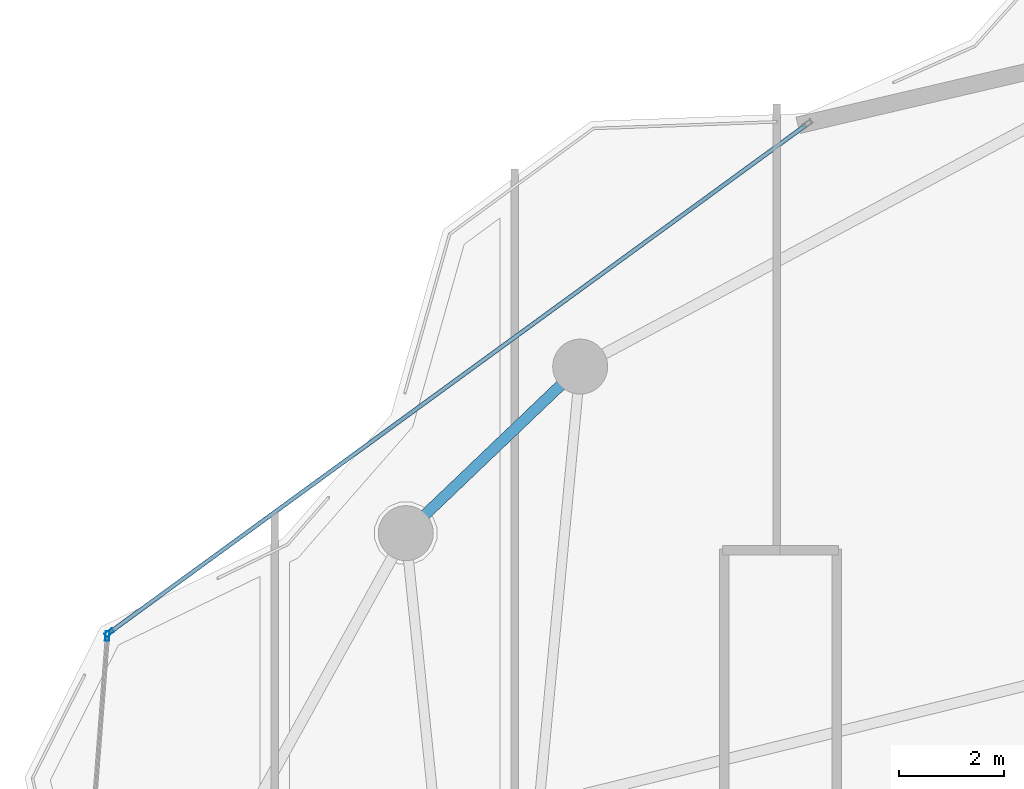
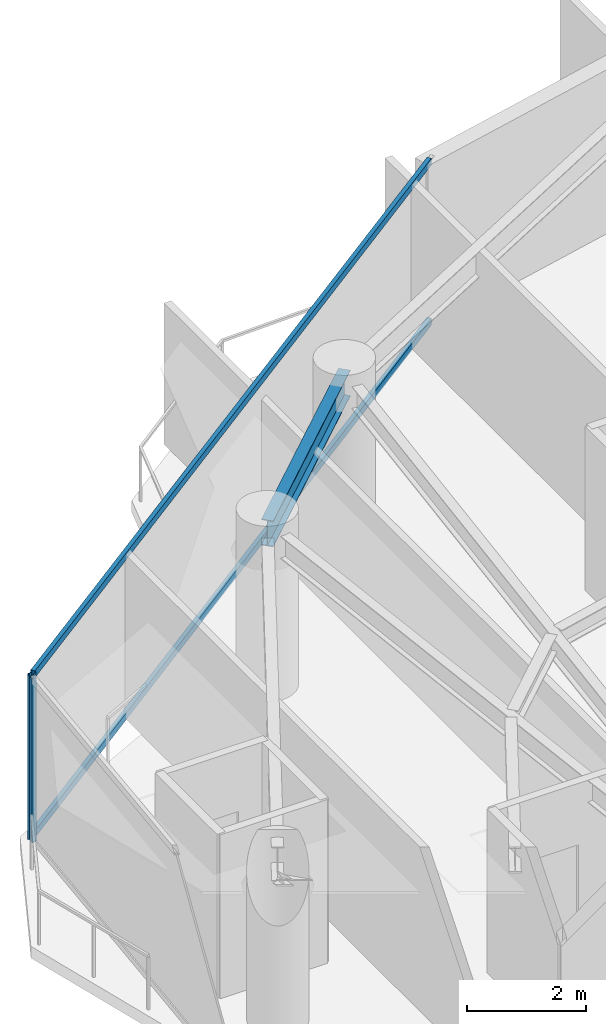
# One storey, part 17 of 31: 4 members, 1 beam, 2 elements without a shape of their own.
"""IFC4 building model written with IfcOpenShell, lengths in metres."""

from ifc_helpers import new_model, si_unit, direction, frame, origin, origin_2d, place, context, subcontext, project, spatial, hollow_rectangle, i_section, extrude, material, layer, layer_set, material_profile, profile_set, type_object, element, aggregate, save


model = new_model("IFC4")

# Units and contexts
model_context = context("Model", 3, precision=1e-05, world=origin(), true_north=direction((0.0, 1.0)))
body_context = subcontext(model_context, "Body", "Model", "MODEL_VIEW")
ifc_project = project(units=[si_unit("LENGTHUNIT", "METRE"), si_unit("AREAUNIT", "SQUARE_METRE"), si_unit("VOLUMEUNIT", "CUBIC_METRE"), si_unit("PLANEANGLEUNIT", "RADIAN"), si_unit("MASSUNIT", "GRAM", prefix="KILO")], contexts=[model_context])

# Site, building, storey
site_placement = place(None, origin())
site = spatial("IfcSite", under=ifc_project, at=site_placement, CompositionType="ELEMENT")
building_placement = place(site_placement, origin())
building = spatial("IfcBuilding", under=site, at=building_placement, Name="Kazevale Care Tower and Concert Hall", CompositionType="ELEMENT")
storey_placement = place(building_placement, frame((0.0, 0.0, 238.800048828125)))
storey = spatial("IfcBuildingStorey", under=building, at=storey_placement, Name="L63", CompositionType="ELEMENT", Elevation=238.800048828125)

# Curtain wall, member
ifc_material_1 = material(Name="Aluminium 6063-T6 and Low-E Glass", Category="aluminium")
ifc_layer = layer(ifc_material_1, 0.179931640625)
ifc_layer_set = layer_set([ifc_layer], Name="Aluminium 6063-T6 and Low-E Glass")
curtain_wall_type = type_object("IfcCurtainWallType", Name="Waist & Upper Residential Curtain Wall CW-4", PredefinedType="NOTDEFINED", material=ifc_layer_set)
curtain_wall_1_placement = place(storey_placement, origin())
curtain_wall_1 = element("IfcCurtainWall", 1, at=curtain_wall_1_placement, inside=storey, type_object=curtain_wall_type, Name="cw:L63:f13", PredefinedType="NOTDEFINED")
ifc_material_2 = material(Name="Aluminium 6063-T6", Category="aluminium")
ifc_material_profile_1 = material_profile(ifc_material_2, hollow_rectangle(XDim=0.080078125, YDim=0.179931640625, WallThickness=0.0048828125, at=origin_2d()), Name="ALU80x180x5")
ifc_profile_set_1 = profile_set([ifc_material_profile_1], Name="Aluminium 6063-T6")
member_type_1 = type_object("IfcMemberType", Name="CW-4 Mullion ALU80x180x5", PredefinedType="MULLION", material=ifc_profile_set_1)
member_1_placement = place(storey_placement, frame((14.722900390625, 49.865234375, 0.0), z_axis=(0.0, 0.0, 1.0), x_axis=(-0.996989311372, 0.077539106325, 0.0)))
member_1 = element("IfcMember", 2, at=member_1_placement, type_object=member_type_1, Name="CW-4 mullion 2", PredefinedType="MULLION", context=body_context, shape_type="SweptSolid", body=[
    extrude(hollow_rectangle(XDim=0.080078125, YDim=0.179931640625, WallThickness=0.0048828125, at=origin_2d()), origin(), (0.0, 0.0, 1.0), 3.35986328125),
])
aggregate(curtain_wall_1, [member_1])

# Curtain wall, members
curtain_wall_2_placement = place(storey_placement, origin())
curtain_wall_2 = element("IfcCurtainWall", 3, at=curtain_wall_2_placement, inside=storey, type_object=curtain_wall_type, Name="cw:L63:f14", PredefinedType="NOTDEFINED")
member_2_placement = place(storey_placement, frame((14.75830078125, 49.928466796875, 0.0), z_axis=(0.0, 0.0, 1.0), x_axis=(-0.588910374145, 0.808198348937, 0.0)))
member_2 = element("IfcMember", 4, at=member_2_placement, type_object=member_type_1, Name="CW-4 mullion 1", PredefinedType="MULLION", context=body_context, shape_type="SweptSolid", body=[
    extrude(hollow_rectangle(XDim=0.080078125, YDim=0.179931640625, WallThickness=0.0048828125, at=origin_2d()), origin(), (0.0, 0.0, 1.0), 3.35986328125),
])
ifc_material_profile_2 = material_profile(ifc_material_2, hollow_rectangle(XDim=0.080078125, YDim=0.139892578125, WallThickness=0.00390625, at=origin_2d()), Name="ALU80x140x4")
ifc_profile_set_2 = profile_set([ifc_material_profile_2], Name="Aluminium 6063-T6")
member_type_2 = type_object("IfcMemberType", Name="CW-4 Transom ALU80x140x4", PredefinedType="USERDEFINED", material=ifc_profile_set_2)
member_3_placement = place(storey_placement, frame((14.790771484375, 49.9521484375, 0.0400390625), z_axis=(0.808197463946, 0.588911588672, 0.0), x_axis=(-0.588911588672, 0.808197463946, 0.0)))
member_3 = element("IfcMember", 5, at=member_3_placement, type_object=member_type_2, Name="CW-4 transom 1.1", ObjectType="TRANSOM", PredefinedType="USERDEFINED", context=body_context, shape_type="SweptSolid", body=[
    extrude(hollow_rectangle(XDim=0.080078125, YDim=0.139892578125, WallThickness=0.00390625, at=origin_2d()), origin(), (0.0, 0.0, 1.0), 16.416259765625),
])
member_4_placement = place(storey_placement, frame((14.790771484375, 49.9521484375, 3.320068359375), z_axis=(0.808197463946, 0.588911588672, 0.0), x_axis=(-0.588911588672, 0.808197463946, 0.0)))
member_4 = element("IfcMember", 6, at=member_4_placement, type_object=member_type_2, Name="CW-4 transom 1.2", ObjectType="TRANSOM", PredefinedType="USERDEFINED", context=body_context, shape_type="SweptSolid", body=[
    extrude(hollow_rectangle(XDim=0.080078125, YDim=0.139892578125, WallThickness=0.00390625, at=origin_2d()), origin(), (0.0, 0.0, 1.0), 16.416259765625),
])
aggregate(curtain_wall_2, [member_2, member_3, member_4])

# Beam
ifc_material_3 = material(Name="Steel ASTM A572 Gr 50", Category="steel")
ifc_material_profile_3 = material_profile(ifc_material_3, i_section(OverallWidth=0.208984375, OverallDepth=0.532958984375, WebThickness=0.01025390625, FlangeThickness=0.015625, at=origin_2d()), Name="W530x92")
ifc_profile_set_3 = profile_set([ifc_material_profile_3], Name="Steel ASTM A572 Gr 50")
beam_type = type_object("IfcBeamType", Name="Upper Ring Beam W530x92", PredefinedType="BEAM", material=ifc_profile_set_3)
beam_placement = place(storey_placement, frame((23.75, 55.010009765625, 3.093505859375), z_axis=(-0.723223118589, -0.690614451585, 0.0), x_axis=(0.690614451585, -0.723223118589, 0.0)))
element("IfcBeam", 7, at=beam_placement, inside=storey, type_object=beam_type, Name="beam:L63:ring:07", PredefinedType="BEAM", context=body_context, shape_type="SweptSolid", body=[
    extrude(i_section(OverallWidth=0.208984375, OverallDepth=0.532958984375, WebThickness=0.01025390625, FlangeThickness=0.015625, at=origin_2d()), origin(), (0.0, 0.0, 1.0), 4.6044921875),
])

save(model, "model.ifc")
